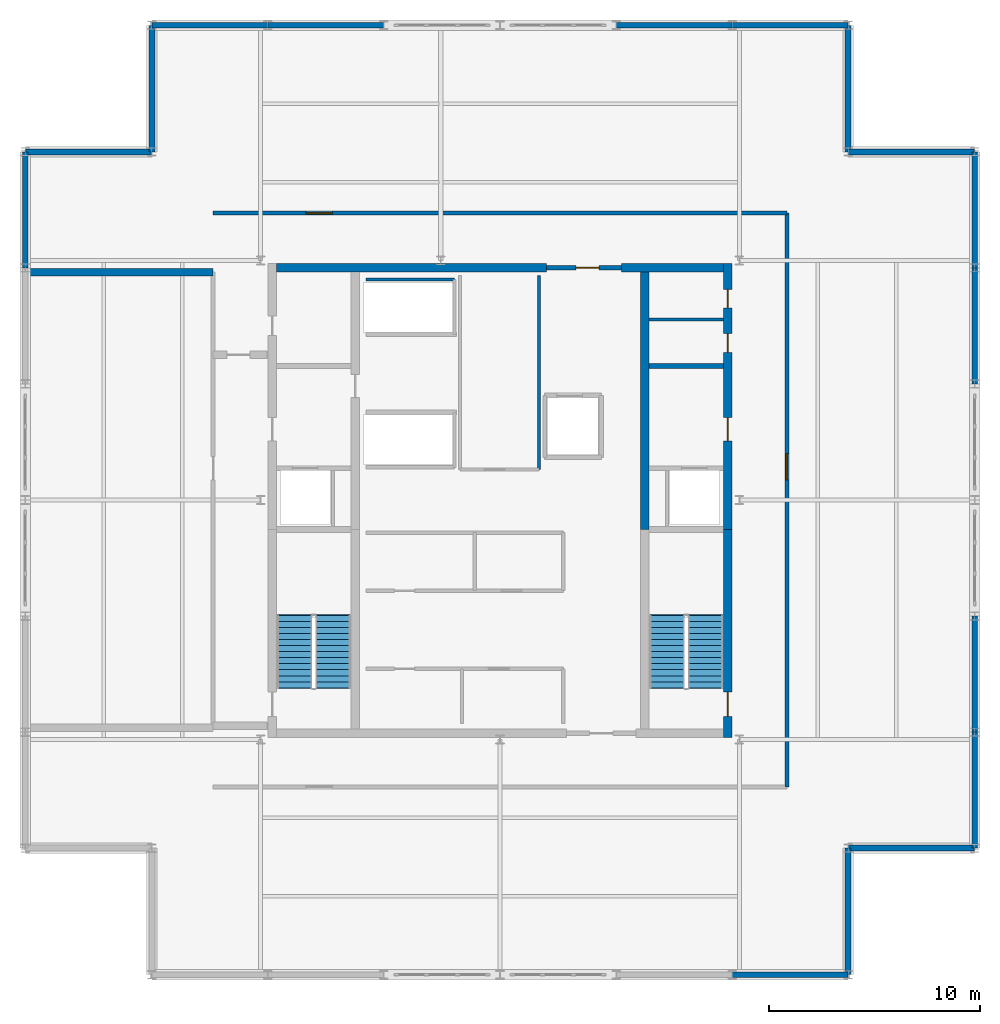
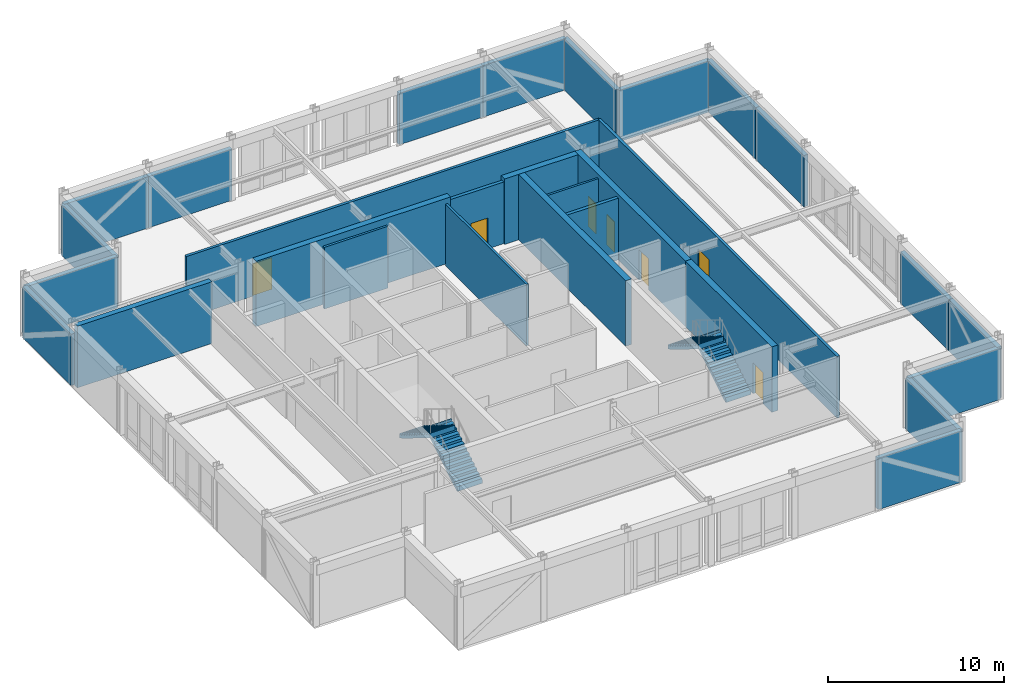
# One storey, part 8 of 9: 29 walls, 7 doors, 4 stair flights, 7 openings, 2 elements without a shape of their own.
"""IFC4 building model written with IfcOpenShell, lengths in metres."""

from ifc_helpers import new_model, si_unit, direction, frame, frame_2d, origin, place, context, subcontext, project, spatial, polyline, rectangle, outline, extrude, material, layer, layer_set, type_object, element, fill, aggregate, save


model = new_model("IFC4")

# Units and contexts
model_context = context("Model", 3, precision=1e-05, world=origin(), true_north=direction((0.0, 1.0)))
body_context = subcontext(model_context, "Body", "Model", "MODEL_VIEW")
ifc_project = project(units=[si_unit("LENGTHUNIT", "METRE"), si_unit("AREAUNIT", "SQUARE_METRE"), si_unit("VOLUMEUNIT", "CUBIC_METRE"), si_unit("PLANEANGLEUNIT", "RADIAN"), si_unit("MASSUNIT", "GRAM", prefix="KILO")], contexts=[model_context])

# Site, building, storey
site_placement = place(None, origin())
site = spatial("IfcSite", under=ifc_project, at=site_placement, CompositionType="ELEMENT")
building_placement = place(site_placement, origin())
building = spatial("IfcBuilding", under=site, at=building_placement, Name="Nhamokura Convention Tower", CompositionType="ELEMENT")
storey_placement = place(building_placement, frame((0.0, 0.0, 313.25)))
storey = spatial("IfcBuildingStorey", under=building, at=storey_placement, Name="L77", CompositionType="ELEMENT", Elevation=313.25)

# Walls
ifc_material_1 = material(Name="Moisture-resistant tile-backer partition", Category="masonry")
ifc_layer_1 = layer(ifc_material_1, 0.139892578125)
ifc_layer_set_1 = layer_set([ifc_layer_1], Name="BathroomWetWall_140")
wall_type_1 = type_object("IfcWallType", Name="BathroomWetWall_140", PredefinedType="STANDARD", material=ifc_layer_set_1)
wall_1_placement = place(storey_placement, frame((39.06005859375, 40.550048828125, 0.0), z_axis=(0.0, 0.0, 1.0), x_axis=(1.0, 0.0, 0.0)))
element("IfcWall", 1, at=wall_1_placement, inside=storey, type_object=wall_type_1, Name="L77 Wall INT-L77-CWNE", PredefinedType="STANDARD", context=body_context, shape_type="SweptSolid", body=[
    extrude(rectangle(XDim=3.530029296875, YDim=0.139892578125, at=frame_2d((1.76513671875, 0.0))), origin(), (0.0, 0.0, 1.0), 4.2900390625),
])
ifc_material_2 = material(Name="Bronze-pigmented precast concrete C45/55", Category="concrete")
ifc_layer_2 = layer(ifc_material_2, 0.280029296875)
ifc_layer_set_2 = layer_set([ifc_layer_2], Name="BronzePrecastSpandrel_280")
wall_type_2 = type_object("IfcWallType", Name="BronzePrecastSpandrel_280", PredefinedType="USERDEFINED", material=ifc_layer_set_2)
for number, where, z_axis, x_axis, name in (
    (2, (48.5, 9.5, 0.0), (0.0, 0.0, 1.0), (-1.0, 0.0, 0.0), "L77 Crown Wall SOUTH 5"),
    (3, (15.5, 54.5, 0.0), (0.0, 0.0, 1.0), (1.0, 0.0, 0.0), "L77 Crown Wall NORTH 0"),
    (4, (21.0, 54.5, 0.0), (0.0, 0.0, 1.0), (1.0, 0.0, 0.0), "L77 Crown Wall NORTH 1"),
    (5, (37.5, 54.5, 0.0), (0.0, 0.0, 1.0), (1.0, 0.0, 0.0), "L77 Crown Wall NORTH 4"),
    (6, (43.0, 54.5, 0.0), (0.0, 0.0, 1.0), (1.0, 0.0, 0.0), "L77 Crown Wall NORTH 5"),
    (7, (9.5, 43.0, 0.0), (0.0, 0.0, 1.0), (0.0, 1.0, 0.0), "L77 Crown Wall WEST 5"),
    (8, (54.5, 21.0, 0.0), (0.0, 0.0, 1.0), (0.0, -1.0, 0.0), "L77 Crown Wall EAST 0"),
    (9, (54.5, 26.5, 0.0), (0.0, 0.0, 1.0), (0.0, -1.0, 0.0), "L77 Crown Wall EAST 1"),
    (10, (54.5, 43.0, 0.0), (0.0, 0.0, 1.0), (0.0, -1.0, 0.0), "L77 Crown Wall EAST 4"),
    (11, (54.5, 48.5, 0.0), (0.0, 0.0, 1.0), (0.0, -1.0, 0.0), "L77 Crown Wall EAST 5"),
):
    element("IfcWall", number, at=place(storey_placement, frame(where, z_axis=z_axis, x_axis=x_axis)), inside=storey, type_object=wall_type_2, Name=name, ObjectType="SPANDREL_WALL", PredefinedType="USERDEFINED", context=body_context, shape_type="SweptSolid", body=[
        extrude(rectangle(XDim=5.5, YDim=0.280029296875, at=frame_2d((2.75, 0.0))), origin(), (0.0, 0.0, 1.0), 3.570068359375),
    ])
for number, where, z_axis, x_axis, name in (
    (12, (48.5, 15.5, 0.0), (0.0, 0.0, 1.0), (0.0, -1.0, 0.0), "L77 Crown Notch Wall SE1"),
    (13, (54.5, 15.5, 0.0), (0.0, 0.0, 1.0), (-1.0, 0.0, 0.0), "L77 Crown Notch Wall SE2"),
    (14, (48.5, 48.5, 0.0), (0.0, 0.0, 1.0), (1.0, 0.0, 0.0), "L77 Crown Notch Wall NE1"),
    (15, (48.5, 54.5, 0.0), (0.0, 0.0, 1.0), (0.0, -1.0, 0.0), "L77 Crown Notch Wall NE2"),
    (16, (15.5, 48.5, 0.0), (0.0, 0.0, 1.0), (0.0, 1.0, 0.0), "L77 Crown Notch Wall NW1"),
    (17, (9.5, 48.5, 0.0), (0.0, 0.0, 1.0), (1.0, 0.0, 0.0), "L77 Crown Notch Wall NW2"),
):
    element("IfcWall", number, at=place(storey_placement, frame(where, z_axis=z_axis, x_axis=x_axis)), inside=storey, type_object=wall_type_2, Name=name, ObjectType="SPANDREL_WALL", PredefinedType="USERDEFINED", context=body_context, shape_type="SweptSolid", body=[
        extrude(rectangle(XDim=6.0, YDim=0.280029296875, at=frame_2d((3.0, 0.0))), origin(), (0.0, 0.0, 1.0), 3.570068359375),
    ])

# Wall, opening, door
ifc_material_3 = material(Name="Concrete C50/60", Category="concrete")
ifc_layer_3 = layer(ifc_material_3, 0.39990234375)
ifc_layer_set_3 = layer_set([ifc_layer_3], Name="CoreShearWall_400")
wall_type_3 = type_object("IfcWallType", Name="CoreShearWall_400", PredefinedType="SHEAR", material=ifc_layer_set_3)
wall_2_placement = place(storey_placement, frame((42.7900390625, 20.75, 0.0), z_axis=(0.0, 0.0, 1.0), x_axis=(0.0, 1.0, 0.0)))
wall_2 = element("IfcWall", 18, at=wall_2_placement, inside=storey, type_object=wall_type_3, Name="L77 Core Shear Wall CW-ES", PredefinedType="SHEAR", context=body_context, shape_type="SweptSolid", body=[
    extrude(rectangle(XDim=9.85009765625, YDim=0.39990234375, at=frame_2d((4.925048828125, 0.0))), origin(), (0.0, 0.0, 1.0), 4.550048828125),
])
opening_1_placement = place(wall_2_placement, frame((1.0, 0.0, 0.0)))
opening_1 = element("IfcOpeningElement", 19, at=opening_1_placement, cuts=wall_2, Name="Opening D-04", PredefinedType="OPENING", context=body_context, shape_type="SweptSolid", body=[
    extrude(rectangle(XDim=1.14990234375, YDim=2.14990234375, at=frame_2d((0.574951171875, 1.074951171875))), frame((0.0, 0.2099609375, 0.0), z_axis=(0.0, -1.0, 0.0), x_axis=(1.0, 0.0, 0.0)), (0.0, 0.0, 1.0), 0.419921875),
])
ifc_material_4 = material(Name="Fire-rated steel door", Category="steel")
door_type_1 = type_object("IfcDoorType", Name="StairSmokeDoor_1150", OperationType="NOTDEFINED", PredefinedType="DOOR", material=ifc_material_4)
door_1_placement = place(opening_1_placement, origin())
door_1 = element("IfcDoor", 20, at=door_1_placement, inside=storey, type_object=door_type_1, Name="L77 Core Door INT-L77-D-ST02", OperationType="SINGLE_SWING_RIGHT", OverallHeight=2.14990234375, OverallWidth=1.14990234375, PredefinedType="DOOR", context=body_context, shape_type="SweptSolid", body=[
    extrude(rectangle(XDim=1.14990234375, YDim=2.14990234375, at=frame_2d((0.574951171875, 1.074951171875))), frame((0.0, 0.02490234375, 0.0), z_axis=(0.0, -1.0, 0.0), x_axis=(1.0, 0.0, 0.0)), (0.0, 0.0, 1.0), 0.050048828125),
])
fill(opening_1, door_1)

# Wall, openings, doors
wall_3_placement = place(storey_placement, frame((42.7900390625, 30.60009765625, 0.0), z_axis=(0.0, 0.0, 1.0), x_axis=(0.0, 1.0, 0.0)))
wall_3 = element("IfcWall", 21, at=wall_3_placement, inside=storey, type_object=wall_type_3, Name="L77 Core Shear Wall CW-EN", PredefinedType="SHEAR", context=body_context, shape_type="SweptSolid", body=[
    extrude(rectangle(XDim=12.599853515625, YDim=0.39990234375, at=frame_2d((6.2998046875, 0.0))), origin(), (0.0, 0.0, 1.0), 4.550048828125),
])
opening_2_placement = place(wall_3_placement, frame((4.199951171875, 0.0, 0.0)))
opening_2 = element("IfcOpeningElement", 22, at=opening_2_placement, cuts=wall_3, Name="Opening D-05", PredefinedType="OPENING", context=body_context, shape_type="SweptSolid", body=[
    extrude(rectangle(XDim=1.10009765625, YDim=2.14990234375, at=frame_2d((0.550048828125, 1.074951171875))), frame((0.0, 0.2099609375, 0.0), z_axis=(0.0, -1.0, 0.0), x_axis=(1.0, 0.0, 0.0)), (0.0, 0.0, 1.0), 0.419921875),
])
opening_3_placement = place(wall_3_placement, frame((8.39990234375, 0.0, 0.0)))
opening_3 = element("IfcOpeningElement", 23, at=opening_3_placement, cuts=wall_3, Name="Opening D-11", PredefinedType="OPENING", context=body_context, shape_type="SweptSolid", body=[
    extrude(rectangle(XDim=0.8798828125, YDim=2.10009765625, at=frame_2d((0.43994140625, 1.050048828125))), frame((0.0, 0.2099609375, 0.0), z_axis=(0.0, -1.0, 0.0), x_axis=(1.0, 0.0, 0.0)), (0.0, 0.0, 1.0), 0.419921875),
])
opening_4_placement = place(wall_3_placement, frame((10.5, 0.0, 0.0)))
opening_4 = element("IfcOpeningElement", 24, at=opening_4_placement, cuts=wall_3, Name="Opening D-11", PredefinedType="OPENING", context=body_context, shape_type="SweptSolid", body=[
    extrude(rectangle(XDim=0.8798828125, YDim=2.10009765625, at=frame_2d((0.43994140625, 1.050048828125))), frame((0.0, 0.2099609375, 0.0), z_axis=(0.0, -1.0, 0.0), x_axis=(1.0, 0.0, 0.0)), (0.0, 0.0, 1.0), 0.419921875),
])
ifc_material_5 = material(Name="Solid oak hardwood", Category="wood")
door_type_2 = type_object("IfcDoorType", Name="BathroomDoor_880", OperationType="NOTDEFINED", PredefinedType="DOOR", material=ifc_material_5)
door_2_placement = place(opening_3_placement, origin())
door_2 = element("IfcDoor", 25, at=door_2_placement, inside=storey, type_object=door_type_2, Name="L77 Core Door INT-L77-D-MWC", OperationType="SINGLE_SWING_RIGHT", OverallHeight=2.10009765625, OverallWidth=0.8798828125, PredefinedType="DOOR", context=body_context, shape_type="SweptSolid", body=[
    extrude(rectangle(XDim=0.8798828125, YDim=2.10009765625, at=frame_2d((0.43994140625, 1.050048828125))), frame((0.0, 0.02490234375, 0.0), z_axis=(0.0, -1.0, 0.0), x_axis=(1.0, 0.0, 0.0)), (0.0, 0.0, 1.0), 0.050048828125),
])
fill(opening_3, door_2)
door_3_placement = place(opening_4_placement, origin())
door_3 = element("IfcDoor", 26, at=door_3_placement, inside=storey, type_object=door_type_2, Name="L77 Core Door INT-L77-D-FWC", OperationType="SINGLE_SWING_LEFT", OverallHeight=2.10009765625, OverallWidth=0.8798828125, PredefinedType="DOOR", context=body_context, shape_type="SweptSolid", body=[
    extrude(rectangle(XDim=0.8798828125, YDim=2.10009765625, at=frame_2d((0.43994140625, 1.050048828125))), frame((0.0, 0.02490234375, 0.0), z_axis=(0.0, -1.0, 0.0), x_axis=(1.0, 0.0, 0.0)), (0.0, 0.0, 1.0), 0.050048828125),
])
fill(opening_4, door_3)
ifc_material_6 = material(Name="Fire-rated steel door", Category="steel")
door_type_3 = type_object("IfcDoorType", Name="FireLobbyDoor_1100", OperationType="NOTDEFINED", PredefinedType="DOOR", material=ifc_material_6)
door_4_placement = place(opening_2_placement, origin())
door_4 = element("IfcDoor", 27, at=door_4_placement, inside=storey, type_object=door_type_3, Name="L77 Core Door INT-L77-D-FFLE", OperationType="SINGLE_SWING_LEFT", OverallHeight=2.14990234375, OverallWidth=1.10009765625, PredefinedType="DOOR", context=body_context, shape_type="SweptSolid", body=[
    extrude(rectangle(XDim=1.10009765625, YDim=2.14990234375, at=frame_2d((0.550048828125, 1.074951171875))), frame((0.0, 0.02490234375, 0.0), z_axis=(0.0, -1.0, 0.0), x_axis=(1.0, 0.0, 0.0)), (0.0, 0.0, 1.0), 0.050048828125),
])
fill(opening_2, door_4)

# Walls
wall_4_placement = place(storey_placement, frame((21.409912109375, 43.0, 0.0), z_axis=(0.0, 0.0, 1.0), x_axis=(1.0, 0.0, 0.0)))
element("IfcWall", 28, at=wall_4_placement, inside=storey, type_object=wall_type_3, Name="L77 Core Shear Wall CW-N1", PredefinedType="SHEAR", context=body_context, shape_type="SweptSolid", body=[
    extrude(rectangle(XDim=12.7900390625, YDim=0.39990234375, at=frame_2d((6.39501953125, 0.0))), origin(), (0.0, 0.0, 1.0), 4.550048828125),
])
wall_5_placement = place(storey_placement, frame((37.75, 43.0, 0.0), z_axis=(0.0, 0.0, 1.0), x_axis=(1.0, 0.0, 0.0)))
element("IfcWall", 29, at=wall_5_placement, inside=storey, type_object=wall_type_3, Name="L77 Core Shear Wall CW-N2", PredefinedType="SHEAR", context=body_context, shape_type="SweptSolid", body=[
    extrude(rectangle(XDim=4.840087890625, YDim=0.39990234375, at=frame_2d((2.419921875, 0.0))), origin(), (0.0, 0.0, 1.0), 4.550048828125),
])
wall_6_placement = place(storey_placement, frame((38.860107421875, 30.60009765625, 0.0), z_axis=(0.0, 0.0, 1.0), x_axis=(0.0, 1.0, 0.0)))
element("IfcWall", 30, at=wall_6_placement, inside=storey, type_object=wall_type_3, Name="L77 Core Shear Wall CW-IEN", PredefinedType="SHEAR", context=body_context, shape_type="SweptSolid", body=[
    extrude(rectangle(XDim=12.199951171875, YDim=0.39990234375, at=frame_2d((6.10009765625, 0.0))), origin(), (0.0, 0.0, 1.0), 4.550048828125),
])

# Wall, opening, door
ifc_material_7 = material(Name="Fire-rated gypsum and masonry partition", Category="masonry")
ifc_layer_4 = layer(ifc_material_7, 0.179931640625)
ifc_layer_set_4 = layer_set([ifc_layer_4], Name="CorridorRatedWall_180")
wall_type_4 = type_object("IfcWallType", Name="CorridorRatedWall_180", PredefinedType="STANDARD", material=ifc_layer_set_4)
wall_7_placement = place(storey_placement, frame((18.39990234375, 45.60009765625, 0.0), z_axis=(0.0, 0.0, 1.0), x_axis=(1.0, 0.0, 0.0)))
wall_7 = element("IfcWall", 31, at=wall_7_placement, inside=storey, type_object=wall_type_4, Name="L77 Wall INT-L77-CW-N00", PredefinedType="STANDARD", context=body_context, shape_type="SweptSolid", body=[
    extrude(rectangle(XDim=27.2001953125, YDim=0.179931640625, at=frame_2d((13.60009765625, 0.0))), origin(), (0.0, 0.0, 1.0), 4.2900390625),
])
opening_5_placement = place(wall_7_placement, frame((4.39990234375, 0.0, 0.0)))
opening_5 = element("IfcOpeningElement", 32, at=opening_5_placement, cuts=wall_7, Name="Opening D-12", PredefinedType="OPENING", context=body_context, shape_type="SweptSolid", body=[
    extrude(rectangle(XDim=1.25, YDim=2.199951171875, at=frame_2d((0.625, 1.10009765625))), frame((0.0, 0.099853515625, 0.0), z_axis=(0.0, -1.0, 0.0), x_axis=(1.0, 0.0, 0.0)), (0.0, 0.0, 1.0), 0.199951171875),
])
ifc_material_8 = material(Name="Fire-rated steel door", Category="steel")
door_type_4 = type_object("IfcDoorType", Name="PlantServiceDoor_1250", OperationType="NOTDEFINED", PredefinedType="DOOR", material=ifc_material_8)
door_5_placement = place(opening_5_placement, origin())
door_5 = element("IfcDoor", 33, at=door_5_placement, inside=storey, type_object=door_type_4, Name="L77 High-Altitude AHU Plant N01 Door", OperationType="SINGLE_SWING_LEFT", OverallHeight=2.199951171875, OverallWidth=1.25, PredefinedType="DOOR", context=body_context, shape_type="SweptSolid", body=[
    extrude(rectangle(XDim=1.25, YDim=2.199951171875, at=frame_2d((0.625, 1.10009765625))), frame((0.0, 0.02490234375, 0.0), z_axis=(0.0, -1.0, 0.0), x_axis=(1.0, 0.0, 0.0)), (0.0, 0.0, 1.0), 0.050048828125),
])
fill(opening_5, door_5)

wall_8_placement = place(storey_placement, frame((45.60009765625, 18.39990234375, 0.0), z_axis=(0.0, 0.0, 1.0), x_axis=(0.0, 1.0, 0.0)))
wall_8 = element("IfcWall", 34, at=wall_8_placement, inside=storey, type_object=wall_type_4, Name="L77 Wall INT-L77-CW-E00", PredefinedType="STANDARD", context=body_context, shape_type="SweptSolid", body=[
    extrude(rectangle(XDim=27.2001953125, YDim=0.179931640625, at=frame_2d((13.60009765625, 0.0))), origin(), (0.0, 0.0, 1.0), 4.2900390625),
])
opening_6_placement = place(wall_8_placement, frame((14.550048828125, 0.0, 0.0)))
opening_6 = element("IfcOpeningElement", 35, at=opening_6_placement, cuts=wall_8, Name="Opening D-12", PredefinedType="OPENING", context=body_context, shape_type="SweptSolid", body=[
    extrude(rectangle(XDim=1.25, YDim=2.199951171875, at=frame_2d((0.625, 1.10009765625))), frame((0.0, 0.099853515625, 0.0), z_axis=(0.0, -1.0, 0.0), x_axis=(1.0, 0.0, 0.0)), (0.0, 0.0, 1.0), 0.199951171875),
])
door_6_placement = place(opening_6_placement, origin())
door_6 = element("IfcDoor", 36, at=door_6_placement, inside=storey, type_object=door_type_4, Name="L77 Chilled-Water Heat Exchanger Plant E01 Door", OperationType="SINGLE_SWING_LEFT", OverallHeight=2.199951171875, OverallWidth=1.25, PredefinedType="DOOR", context=body_context, shape_type="SweptSolid", body=[
    extrude(rectangle(XDim=1.25, YDim=2.199951171875, at=frame_2d((0.625, 1.10009765625))), frame((0.0, 0.02490234375, 0.0), z_axis=(0.0, -1.0, 0.0), x_axis=(1.0, 0.0, 0.0)), (0.0, 0.0, 1.0), 0.050048828125),
])
fill(opening_6, door_6)

# Wall
ifc_material_9 = material(Name="Autoclaved concrete blockwork", Category="masonry")
ifc_layer_5 = layer(ifc_material_9, 0.219970703125)
ifc_layer_set_5 = layer_set([ifc_layer_5], Name="FireLobbyWall_220")
wall_type_5 = type_object("IfcWallType", Name="FireLobbyWall_220", PredefinedType="STANDARD", material=ifc_layer_set_5)
wall_9_placement = place(storey_placement, frame((39.06005859375, 38.35009765625, 0.0), z_axis=(0.0, 0.0, 1.0), x_axis=(1.0, 0.0, 0.0)))
element("IfcWall", 37, at=wall_9_placement, inside=storey, type_object=wall_type_5, Name="L77 Wall INT-L77-FFE-N", PredefinedType="STANDARD", context=body_context, shape_type="SweptSolid", body=[
    extrude(rectangle(XDim=3.530029296875, YDim=0.219970703125, at=frame_2d((1.76513671875, 0.0))), origin(), (0.0, 0.0, 1.0), 4.2900390625),
])

# Wall, opening, door
wall_10_placement = place(storey_placement, frame((34.199951171875, 43.0, 0.0), z_axis=(0.0, 0.0, 1.0), x_axis=(1.0, 0.0, 0.0)))
wall_10 = element("IfcWall", 38, at=wall_10_placement, inside=storey, type_object=wall_type_5, Name="L77 Wall INT-L77-CPORT-N", PredefinedType="STANDARD", context=body_context, shape_type="SweptSolid", body=[
    extrude(rectangle(XDim=3.550048828125, YDim=0.219970703125, at=frame_2d((1.77490234375, 0.0))), origin(), (0.0, 0.0, 1.0), 4.2900390625),
])
opening_7_placement = place(wall_10_placement, frame((1.39990234375, 0.0, 0.0)))
opening_7 = element("IfcOpeningElement", 39, at=opening_7_placement, cuts=wall_10, Name="Opening D-05", PredefinedType="OPENING", context=body_context, shape_type="SweptSolid", body=[
    extrude(rectangle(XDim=1.10009765625, YDim=2.14990234375, at=frame_2d((0.550048828125, 1.074951171875))), frame((0.0, 0.119873046875, 0.0), z_axis=(0.0, -1.0, 0.0), x_axis=(1.0, 0.0, 0.0)), (0.0, 0.0, 1.0), 0.239990234375),
])
door_7_placement = place(opening_7_placement, origin())
door_7 = element("IfcDoor", 40, at=door_7_placement, inside=storey, type_object=door_type_3, Name="L77 North Core Lobby Portal Door", OperationType="SINGLE_SWING_RIGHT", OverallHeight=2.14990234375, OverallWidth=1.10009765625, PredefinedType="DOOR", context=body_context, shape_type="SweptSolid", body=[
    extrude(rectangle(XDim=1.10009765625, YDim=2.14990234375, at=frame_2d((0.550048828125, 1.074951171875))), frame((0.0, 0.02490234375, 0.0), z_axis=(0.0, -1.0, 0.0), x_axis=(1.0, 0.0, 0.0)), (0.0, 0.0, 1.0), 0.050048828125),
])
fill(opening_7, door_7)

# Walls
ifc_material_10 = material(Name="Concrete C50/60", Category="concrete")
ifc_layer_6 = layer(ifc_material_10, 0.35009765625)
ifc_layer_set_6 = layer_set([ifc_layer_6], Name="FirewallPlant_350")
wall_type_6 = type_object("IfcWallType", Name="FirewallPlant_350", PredefinedType="STANDARD", material=ifc_layer_set_6)
wall_11_placement = place(storey_placement, frame((9.56005859375, 42.800048828125, 0.0), z_axis=(0.0, 0.0, 1.0), x_axis=(1.0, 0.0, 0.0)))
element("IfcWall", 41, at=wall_11_placement, inside=storey, type_object=wall_type_6, Name="L77 Wall INT-L77-RWT-W", PredefinedType="STANDARD", context=body_context, shape_type="SweptSolid", body=[
    extrude(rectangle(XDim=8.83984375, YDim=0.35009765625, at=frame_2d((4.419921875, 0.0))), origin(), (0.0, 0.0, 1.0), 4.2900390625),
])
ifc_material_11 = material(Name="Acoustic gypsum stud partition", Category="masonry")
ifc_layer_7 = layer(ifc_material_11, 0.14990234375)
ifc_layer_set_7 = layer_set([ifc_layer_7], Name="InteriorPartition_150")
wall_type_7 = type_object("IfcWallType", Name="InteriorPartition_150", PredefinedType="STANDARD", material=ifc_layer_set_7)
wall_12_placement = place(storey_placement, frame((25.64990234375, 42.449951171875, 0.0), z_axis=(0.0, 0.0, 1.0), x_axis=(1.0, 0.0, 0.0)))
element("IfcWall", 42, at=wall_12_placement, inside=storey, type_object=wall_type_7, Name="L77 Wall INT-L77-B3B-N", PredefinedType="STANDARD", context=body_context, shape_type="SweptSolid", body=[
    extrude(rectangle(XDim=4.2001953125, YDim=0.14990234375, at=frame_2d((2.10009765625, 0.0))), origin(), (0.0, 0.0, 1.0), 4.2900390625),
])
wall_13_placement = place(storey_placement, frame((33.85009765625, 33.449951171875, 0.0), z_axis=(0.0, 0.0, 1.0), x_axis=(0.0, 1.0, 0.0)))
element("IfcWall", 43, at=wall_13_placement, inside=storey, type_object=wall_type_7, Name="L77 Wall INT-L77-ST03E", PredefinedType="STANDARD", context=body_context, shape_type="SweptSolid", body=[
    extrude(rectangle(XDim=9.199951171875, YDim=0.14990234375, at=frame_2d((4.60009765625, 0.0))), origin(), (0.0, 0.0, 1.0), 4.2900390625),
])

# Stair, stair flights
ifc_material_12 = material(Name="Concrete C40/50", Category="concrete")
stair_type = type_object("IfcStairType", Name="TowerCoreStair_1650", PredefinedType="HALF_TURN_STAIR", material=ifc_material_12)
stair_1_placement = place(storey_placement, origin())
stair_1 = element("IfcStair", 44, at=stair_1_placement, inside=storey, type_object=stair_type, Name="L77 West Core Smokeproof Stair ST-01", PredefinedType="HALF_TURN_STAIR")
ifc_material_13 = material(Name="Concrete C40/50", Category="concrete")
stair_flight_type = type_object("IfcStairFlightType", Name="TowerCoreStair_1650_Flight", PredefinedType="STRAIGHT", material=ifc_material_13)
stair_flight_1_placement = place(storey_placement, frame((24.074951171875, 23.10009765625, 0.0), z_axis=(0.0, 0.0, 1.0), x_axis=(0.0, 1.0, 0.0)))
stair_flight_1 = element("IfcStairFlight", 45, at=stair_flight_1_placement, type_object=stair_flight_type, Name="ST-01 flight 1", NumberOfRisers=13, NumberOfTreads=12, PredefinedType="STRAIGHT", RiserHeight=0.175, TreadLength=0.285, context=body_context, shape_type="SweptSolid", body=[
    extrude(outline(polyline([(-0.0419921875, 0.0), (0.0, 0.175048828125), (0.284912109375, 0.175048828125), (0.284912109375, 0.35009765625), (0.570068359375, 0.35009765625), (0.570068359375, 0.52490234375), (0.85498046875, 0.52490234375), (0.85498046875, 0.699951171875), (1.139892578125, 0.699951171875), (1.139892578125, 0.875), (1.425048828125, 0.875), (1.425048828125, 1.050048828125), (1.7099609375, 1.050048828125), (1.7099609375, 1.22509765625), (1.9951171875, 1.22509765625), (1.9951171875, 1.39990234375), (2.280029296875, 1.39990234375), (2.280029296875, 1.574951171875), (2.56494140625, 1.574951171875), (2.56494140625, 1.75), (2.85009765625, 1.75), (2.85009765625, 1.925048828125), (3.135009765625, 1.925048828125), (3.135009765625, 2.10009765625), (3.419921875, 2.10009765625), (3.419921875, 2.27490234375), (3.4619140625, 2.27490234375), (3.4619140625, 1.924072265625), (3.419921875, 1.924072265625), (0.286376953125, 0.0), (0.02001953125, -0.1298828125), (-0.0419921875, -0.1298828125), (-0.0419921875, 0.0)])), frame((0.0, 0.824951171875, 0.0), z_axis=(0.0, -1.0, 0.0), x_axis=(1.0, 0.0, 0.0)), (0.0, 0.0, 1.0), 1.64990234375),
])
stair_flight_2_placement = place(storey_placement, frame((22.27490234375, 26.52001953125, 2.27490234375), z_axis=(0.0, 0.0, 1.0), x_axis=(0.0, -1.0, 0.0)))
stair_flight_2 = element("IfcStairFlight", 46, at=stair_flight_2_placement, type_object=stair_flight_type, Name="ST-01 flight 2", NumberOfRisers=13, NumberOfTreads=12, PredefinedType="STRAIGHT", RiserHeight=0.175, TreadLength=0.285, context=body_context, shape_type="SweptSolid", body=[
    extrude(outline(polyline([(-0.0419921875, 0.0), (0.0, 0.175048828125), (0.284912109375, 0.175048828125), (0.284912109375, 0.35009765625), (0.570068359375, 0.35009765625), (0.570068359375, 0.52490234375), (0.85498046875, 0.52490234375), (0.85498046875, 0.699951171875), (1.139892578125, 0.699951171875), (1.139892578125, 0.875), (1.425048828125, 0.875), (1.425048828125, 1.050048828125), (1.7099609375, 1.050048828125), (1.7099609375, 1.22509765625), (1.9951171875, 1.22509765625), (1.9951171875, 1.39990234375), (2.280029296875, 1.39990234375), (2.280029296875, 1.574951171875), (2.56494140625, 1.574951171875), (2.56494140625, 1.75), (2.85009765625, 1.75), (2.85009765625, 1.925048828125), (3.135009765625, 1.925048828125), (3.135009765625, 2.10009765625), (3.419921875, 2.10009765625), (3.419921875, 2.27490234375), (3.4619140625, 2.27490234375), (3.4619140625, 1.924072265625), (3.419921875, 1.924072265625), (0.286376953125, 0.0), (0.02001953125, -0.1298828125), (-0.0419921875, -0.1298828125), (-0.0419921875, 0.0)])), frame((0.0, 0.824951171875, 0.0), z_axis=(0.0, -1.0, 0.0), x_axis=(1.0, 0.0, 0.0)), (0.0, 0.0, 1.0), 1.64990234375),
])
aggregate(stair_1, [stair_flight_1, stair_flight_2])

stair_2_placement = place(storey_placement, origin())
stair_2 = element("IfcStair", 47, at=stair_2_placement, inside=storey, type_object=stair_type, Name="L77 East Core Smokeproof Stair ST-02", PredefinedType="HALF_TURN_STAIR")
stair_flight_3_placement = place(storey_placement, frame((41.72509765625, 23.10009765625, 0.0), z_axis=(0.0, 0.0, 1.0), x_axis=(0.0, 1.0, 0.0)))
stair_flight_3 = element("IfcStairFlight", 48, at=stair_flight_3_placement, type_object=stair_flight_type, Name="ST-02 flight 1", NumberOfRisers=13, NumberOfTreads=12, PredefinedType="STRAIGHT", RiserHeight=0.175, TreadLength=0.285, context=body_context, shape_type="SweptSolid", body=[
    extrude(outline(polyline([(-0.0419921875, 0.0), (0.0, 0.175048828125), (0.284912109375, 0.175048828125), (0.284912109375, 0.35009765625), (0.570068359375, 0.35009765625), (0.570068359375, 0.52490234375), (0.85498046875, 0.52490234375), (0.85498046875, 0.699951171875), (1.139892578125, 0.699951171875), (1.139892578125, 0.875), (1.425048828125, 0.875), (1.425048828125, 1.050048828125), (1.7099609375, 1.050048828125), (1.7099609375, 1.22509765625), (1.9951171875, 1.22509765625), (1.9951171875, 1.39990234375), (2.280029296875, 1.39990234375), (2.280029296875, 1.574951171875), (2.56494140625, 1.574951171875), (2.56494140625, 1.75), (2.85009765625, 1.75), (2.85009765625, 1.925048828125), (3.135009765625, 1.925048828125), (3.135009765625, 2.10009765625), (3.419921875, 2.10009765625), (3.419921875, 2.27490234375), (3.4619140625, 2.27490234375), (3.4619140625, 1.924072265625), (3.419921875, 1.924072265625), (0.286376953125, 0.0), (0.02001953125, -0.1298828125), (-0.0419921875, -0.1298828125), (-0.0419921875, 0.0)])), frame((0.0, 0.824951171875, 0.0), z_axis=(0.0, -1.0, 0.0), x_axis=(1.0, 0.0, 0.0)), (0.0, 0.0, 1.0), 1.64990234375),
])
stair_flight_4_placement = place(storey_placement, frame((39.925048828125, 26.52001953125, 2.27490234375), z_axis=(0.0, 0.0, 1.0), x_axis=(0.0, -1.0, 0.0)))
stair_flight_4 = element("IfcStairFlight", 49, at=stair_flight_4_placement, type_object=stair_flight_type, Name="ST-02 flight 2", NumberOfRisers=13, NumberOfTreads=12, PredefinedType="STRAIGHT", RiserHeight=0.175, TreadLength=0.285, context=body_context, shape_type="SweptSolid", body=[
    extrude(outline(polyline([(-0.0419921875, 0.0), (0.0, 0.175048828125), (0.284912109375, 0.175048828125), (0.284912109375, 0.35009765625), (0.570068359375, 0.35009765625), (0.570068359375, 0.52490234375), (0.85498046875, 0.52490234375), (0.85498046875, 0.699951171875), (1.139892578125, 0.699951171875), (1.139892578125, 0.875), (1.425048828125, 0.875), (1.425048828125, 1.050048828125), (1.7099609375, 1.050048828125), (1.7099609375, 1.22509765625), (1.9951171875, 1.22509765625), (1.9951171875, 1.39990234375), (2.280029296875, 1.39990234375), (2.280029296875, 1.574951171875), (2.56494140625, 1.574951171875), (2.56494140625, 1.75), (2.85009765625, 1.75), (2.85009765625, 1.925048828125), (3.135009765625, 1.925048828125), (3.135009765625, 2.10009765625), (3.419921875, 2.10009765625), (3.419921875, 2.27490234375), (3.4619140625, 2.27490234375), (3.4619140625, 1.924072265625), (3.419921875, 1.924072265625), (0.286376953125, 0.0), (0.02001953125, -0.1298828125), (-0.0419921875, -0.1298828125), (-0.0419921875, 0.0)])), frame((0.0, 0.824951171875, 0.0), z_axis=(0.0, -1.0, 0.0), x_axis=(1.0, 0.0, 0.0)), (0.0, 0.0, 1.0), 1.64990234375),
])
aggregate(stair_2, [stair_flight_3, stair_flight_4])

save(model, "model.ifc")
